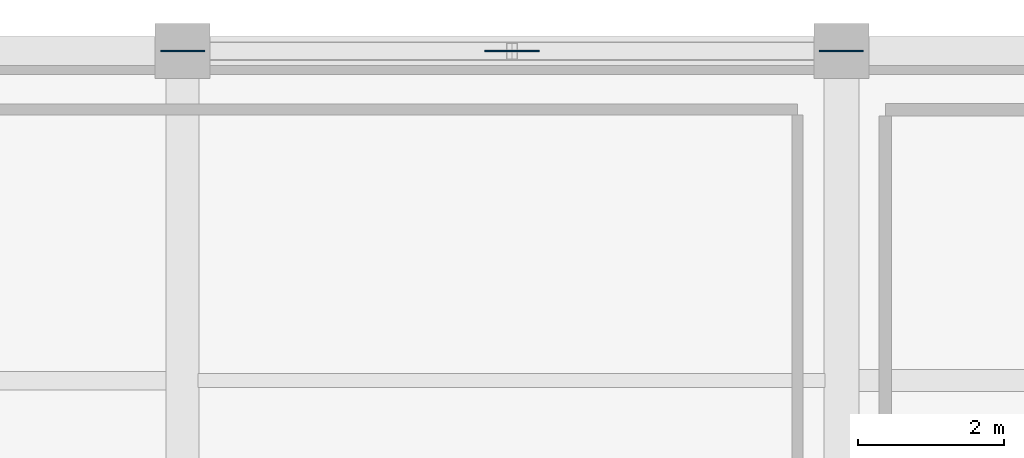
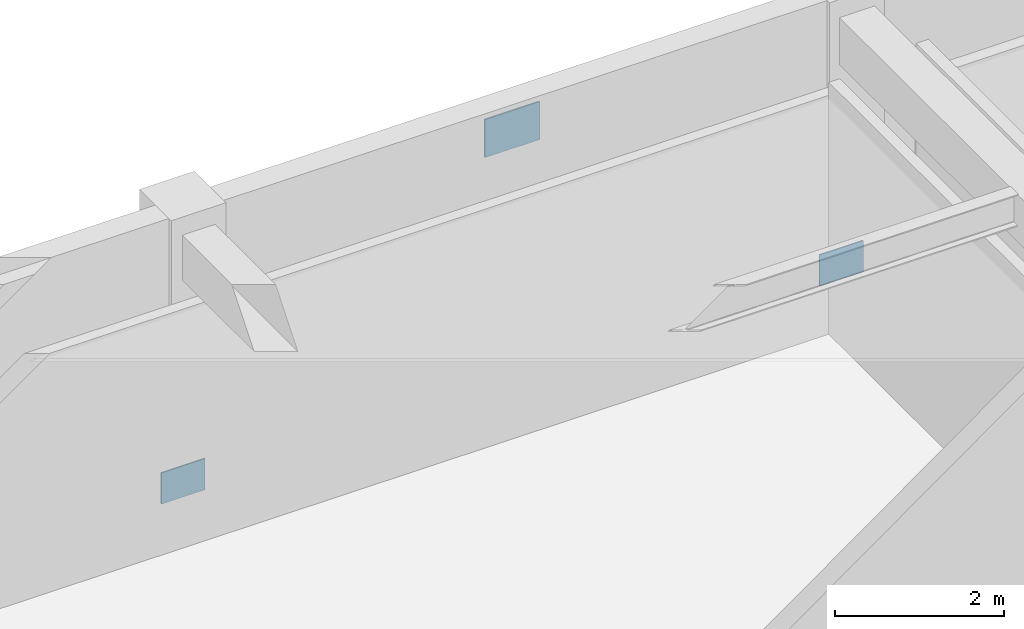
# One storey, part 103 of 133: 3 plates.
"""IFC4 building model written with IfcOpenShell, lengths in metres."""

from ifc_helpers import new_model, si_unit, direction, frame, origin, origin_2d, place, context, subcontext, project, spatial, rectangle, extrude, material, layer, layer_set, type_object, element, save


model = new_model("IFC4")

# Units and contexts
model_context = context("Model", 3, precision=1e-05, world=origin(), true_north=direction((0.0, 1.0)))
body_context = subcontext(model_context, "Body", "Model", "MODEL_VIEW")
ifc_project = project(units=[si_unit("LENGTHUNIT", "METRE"), si_unit("AREAUNIT", "SQUARE_METRE"), si_unit("VOLUMEUNIT", "CUBIC_METRE"), si_unit("PLANEANGLEUNIT", "RADIAN"), si_unit("MASSUNIT", "GRAM", prefix="KILO")], contexts=[model_context])

# Site, building, storey
site_placement = place(None, origin())
site = spatial("IfcSite", under=ifc_project, at=site_placement, CompositionType="ELEMENT")
building_placement = place(site_placement, origin())
building = spatial("IfcBuilding", under=site, at=building_placement, Name="Miravela Opera House", CompositionType="ELEMENT")
storey_placement = place(building_placement, frame((0.0, 0.0, 5.10009765625)))
storey = spatial("IfcBuildingStorey", under=building, at=storey_placement, Name="L01", CompositionType="ELEMENT", Elevation=5.10009765625)

# Plates
ifc_material = material(Name="Structural steel ASTM A572 Gr. 50", Category="steel")
ifc_layer_1 = layer(ifc_material, 0.01806640625)
ifc_layer_set_1 = layer_set([ifc_layer_1])
plate_type_1 = type_object("IfcPlateType", Name="STR-PL-GUS-600X450X18", PredefinedType="USERDEFINED", material=ifc_layer_set_1)
for number, where, z_axis, x_axis, name in (
    (1, (27.0, 112.0, 0.07470703125), (0.0, 0.0, 1.0), (1.0, 0.0, 0.0), "Brace Wall Cast-In Embed Plate 325"),
    (2, (36.0, 112.0, 0.07470703125), (0.0, 0.0, 1.0), (1.0, 0.0, 0.0), "Brace Wall Cast-In Embed Plate 326"),
):
    element("IfcPlate", number, at=place(storey_placement, frame(where, z_axis=z_axis, x_axis=x_axis)), inside=storey, type_object=plate_type_1, Name=name, ObjectType="GUSSET PLATE", PredefinedType="USERDEFINED", context=body_context, shape_type="SweptSolid", body=[
        extrude(rectangle(XDim=0.60009765625, YDim=0.01806640625, at=origin_2d()), origin(), (0.0, 0.0, 1.0), 0.449951171875),
    ])
ifc_layer_2 = layer(ifc_material, 0.02001953125)
ifc_layer_set_2 = layer_set([ifc_layer_2])
plate_type_2 = type_object("IfcPlateType", Name="STR-PL-GUS-750X550X20", PredefinedType="USERDEFINED", material=ifc_layer_set_2)
plate_placement = place(storey_placement, frame((31.5, 112.0, 3.53466796875), z_axis=(0.0, 0.0, 1.0), x_axis=(1.0, 0.0, 0.0)))
element("IfcPlate", 3, at=plate_placement, inside=storey, type_object=plate_type_2, Name="Chevron Brace Apex Gusset Plate 324", ObjectType="GUSSET PLATE", PredefinedType="USERDEFINED", context=body_context, shape_type="SweptSolid", body=[
    extrude(rectangle(XDim=0.75, YDim=0.02001953125, at=origin_2d()), origin(), (0.0, 0.0, 1.0), 0.550048828125),
])

save(model, "model.ifc")
